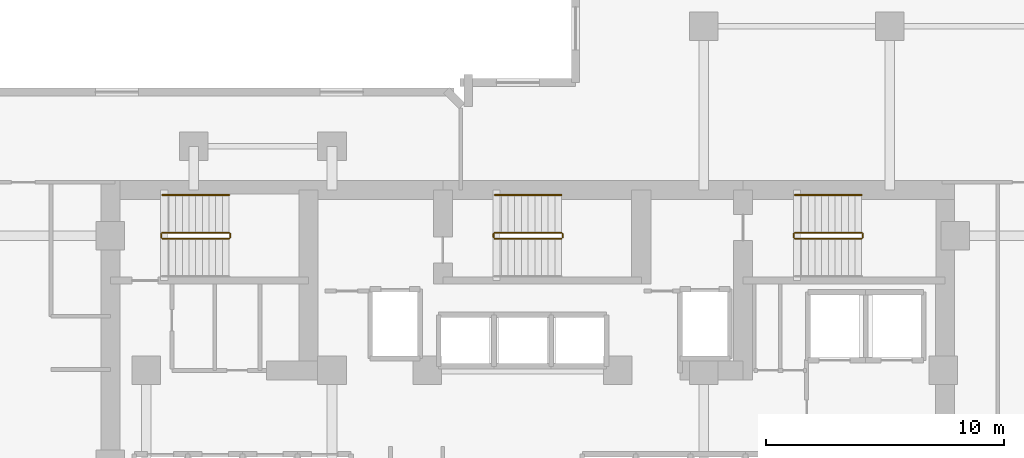
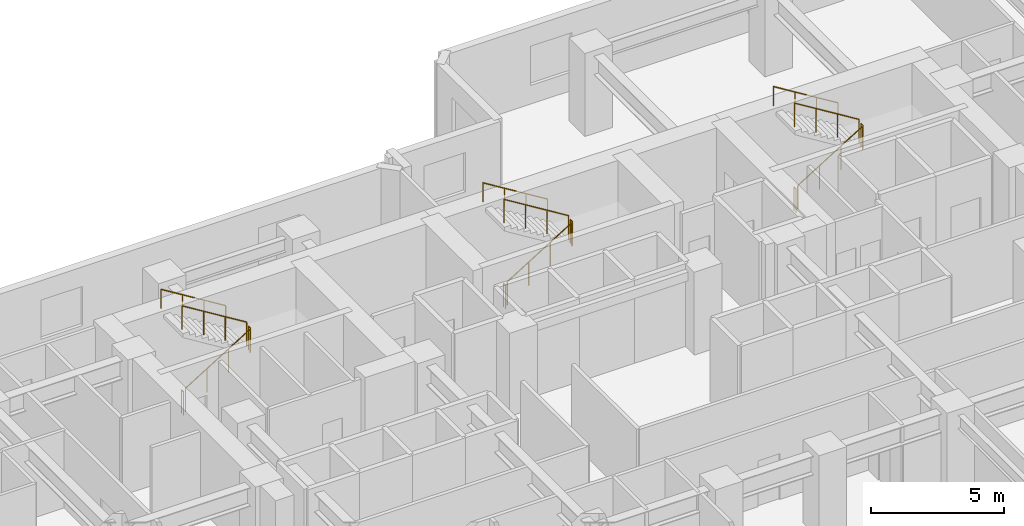
# One storey, part 11 of 11: 15 railings.
"""IFC4 building model written with IfcOpenShell, lengths in metres."""

from ifc_helpers import new_model, si_unit, direction, frame, origin, origin_2d, place, context, subcontext, project, spatial, circle, extrude, material, type_object, element, save


model = new_model("IFC4")

# Units and contexts
model_context = context("Model", 3, precision=1e-05, world=origin(), true_north=direction((0.0, 1.0)))
body_context = subcontext(model_context, "Body", "Model", "MODEL_VIEW")
ifc_project = project(units=[si_unit("LENGTHUNIT", "METRE"), si_unit("AREAUNIT", "SQUARE_METRE"), si_unit("VOLUMEUNIT", "CUBIC_METRE"), si_unit("PLANEANGLEUNIT", "RADIAN"), si_unit("MASSUNIT", "GRAM", prefix="KILO")], contexts=[model_context])

# Site, building, storey
site_placement = place(None, origin())
site = spatial("IfcSite", under=ifc_project, at=site_placement, CompositionType="ELEMENT")
building_placement = place(site_placement, origin())
building = spatial("IfcBuilding", under=site, at=building_placement, Name="Kestravale Grand Hotel", CompositionType="ELEMENT")
storey_placement = place(building_placement, frame((0.0, 0.0, 107.0)))
storey = spatial("IfcBuildingStorey", under=building, at=storey_placement, Name="L26", CompositionType="ELEMENT", Elevation=107.0)

# Railings
ifc_material_1 = material(Name="Painted tubular steel stair well guard", Category="steel")
railing_type_1 = type_object("IfcRailingType", Name="RL-ST-GRD1100", PredefinedType="GUARDRAIL", material=ifc_material_1)
railing_1_placement = place(storey_placement, frame((24.080078125, 38.280029296875, 0.172607421875)))
element("IfcRailing", 1, at=railing_1_placement, inside=storey, type_object=railing_type_1, Name="L26 ST-1 stair guard 1", PredefinedType="GUARDRAIL", context=body_context, shape_type="SweptSolid", body=[
    extrude(circle(Radius=0.02392578125, at=origin_2d()), frame((0.0, 0.0, 1.076171875), z_axis=(0.851069175582, 0.0, 0.525053576669), x_axis=(0.0, 1.0, 0.0)), (0.0, 0.0, 1.0), 3.289794921875),
    extrude(circle(Radius=0.02099609375, at=origin_2d()), origin(), (0.0, 0.0, 1.0), 1.052001953125),
    extrude(circle(Radius=0.02099609375, at=origin_2d()), frame((0.933349609375, 0.0, 0.57568359375)), (0.0, 0.0, 1.0), 1.052001953125),
    extrude(circle(Radius=0.02099609375, at=origin_2d()), frame((1.866455078125, 0.0, 1.151611328125)), (0.0, 0.0, 1.0), 1.052001953125),
    extrude(circle(Radius=0.02099609375, at=origin_2d()), frame((2.7998046875, 0.0, 1.727294921875)), (0.0, 0.0, 1.0), 1.052001953125),
])
railing_2_placement = place(storey_placement, frame((26.929931640625, 38.330078125, 1.89990234375)))
element("IfcRailing", 2, at=railing_2_placement, inside=storey, type_object=railing_type_1, Name="L26 ST-1 stair guard 2", PredefinedType="GUARDRAIL", context=body_context, shape_type="SweptSolid", body=[
    extrude(circle(Radius=0.02392578125, at=origin_2d()), frame((0.0, 0.0, 1.076171875), z_axis=(0.0, 1.0, 0.0), x_axis=(-1.0, 0.0, 0.0)), (0.0, 0.0, 1.0), 0.14990234375),
    extrude(circle(Radius=0.02099609375, at=origin_2d()), origin(), (0.0, 0.0, 1.0), 1.052001953125),
    extrude(circle(Radius=0.02099609375, at=origin_2d()), frame((0.0, 0.14990234375, 0.0)), (0.0, 0.0, 1.0), 1.052001953125),
])
railing_3_placement = place(storey_placement, frame((26.8798828125, 38.530029296875, 2.07275390625)))
element("IfcRailing", 3, at=railing_3_placement, inside=storey, type_object=railing_type_1, Name="L26 ST-1 stair guard 3", PredefinedType="GUARDRAIL", context=body_context, shape_type="SweptSolid", body=[
    extrude(circle(Radius=0.02392578125, at=origin_2d()), frame((0.0, 0.0, 1.076171875), z_axis=(-0.851069175582, 0.0, 0.525053576669), x_axis=(0.0, -1.0, 0.0)), (0.0, 0.0, 1.0), 3.289794921875),
    extrude(circle(Radius=0.02099609375, at=origin_2d()), origin(), (0.0, 0.0, 1.0), 1.052001953125),
    extrude(circle(Radius=0.02099609375, at=origin_2d()), frame((-0.933349609375, 0.0, 0.57568359375)), (0.0, 0.0, 1.0), 1.052001953125),
    extrude(circle(Radius=0.02099609375, at=origin_2d()), frame((-1.866455078125, 0.0, 1.151611328125)), (0.0, 0.0, 1.0), 1.052001953125),
    extrude(circle(Radius=0.02099609375, at=origin_2d()), frame((-2.7998046875, 0.0, 1.727294921875)), (0.0, 0.0, 1.0), 1.052001953125),
])
railing_4_placement = place(storey_placement, frame((24.030029296875, 38.330078125, 0.0)))
element("IfcRailing", 4, at=railing_4_placement, inside=storey, type_object=railing_type_1, Name="L26 ST-1 stair guard 4", PredefinedType="GUARDRAIL", context=body_context, shape_type="SweptSolid", body=[
    extrude(circle(Radius=0.02392578125, at=origin_2d()), frame((0.0, 0.0, 1.076171875), z_axis=(0.0, 1.0, 0.0), x_axis=(-1.0, 0.0, 0.0)), (0.0, 0.0, 1.0), 0.14990234375),
    extrude(circle(Radius=0.02099609375, at=origin_2d()), origin(), (0.0, 0.0, 1.0), 1.052001953125),
    extrude(circle(Radius=0.02099609375, at=origin_2d()), frame((0.0, 0.14990234375, 0.0)), (0.0, 0.0, 1.0), 1.052001953125),
])
railing_5_placement = place(storey_placement, frame((38.030029296875, 38.280029296875, 0.172607421875)))
element("IfcRailing", 5, at=railing_5_placement, inside=storey, type_object=railing_type_1, Name="L26 ST-2 stair guard 1", PredefinedType="GUARDRAIL", context=body_context, shape_type="SweptSolid", body=[
    extrude(circle(Radius=0.02392578125, at=origin_2d()), frame((0.0, 0.0, 1.076171875), z_axis=(0.851089632645, 0.0, 0.525020415988), x_axis=(0.0, 1.0, 0.0)), (0.0, 0.0, 1.0), 3.2900390625),
    extrude(circle(Radius=0.02099609375, at=origin_2d()), origin(), (0.0, 0.0, 1.0), 1.052001953125),
    extrude(circle(Radius=0.02099609375, at=origin_2d()), frame((0.933349609375, 0.0, 0.57568359375)), (0.0, 0.0, 1.0), 1.052001953125),
    extrude(circle(Radius=0.02099609375, at=origin_2d()), frame((1.86669921875, 0.0, 1.151611328125)), (0.0, 0.0, 1.0), 1.052001953125),
    extrude(circle(Radius=0.02099609375, at=origin_2d()), frame((2.800048828125, 0.0, 1.727294921875)), (0.0, 0.0, 1.0), 1.052001953125),
])
railing_6_placement = place(storey_placement, frame((40.8798828125, 38.330078125, 1.89990234375)))
element("IfcRailing", 6, at=railing_6_placement, inside=storey, type_object=railing_type_1, Name="L26 ST-2 stair guard 2", PredefinedType="GUARDRAIL", context=body_context, shape_type="SweptSolid", body=[
    extrude(circle(Radius=0.02392578125, at=origin_2d()), frame((0.0, 0.0, 1.076171875), z_axis=(0.0, 1.0, 0.0), x_axis=(-1.0, 0.0, 0.0)), (0.0, 0.0, 1.0), 0.14990234375),
    extrude(circle(Radius=0.02099609375, at=origin_2d()), origin(), (0.0, 0.0, 1.0), 1.052001953125),
    extrude(circle(Radius=0.02099609375, at=origin_2d()), frame((0.0, 0.14990234375, 0.0)), (0.0, 0.0, 1.0), 1.052001953125),
])
railing_7_placement = place(storey_placement, frame((40.830078125, 38.530029296875, 2.07275390625)))
element("IfcRailing", 7, at=railing_7_placement, inside=storey, type_object=railing_type_1, Name="L26 ST-2 stair guard 3", PredefinedType="GUARDRAIL", context=body_context, shape_type="SweptSolid", body=[
    extrude(circle(Radius=0.02392578125, at=origin_2d()), frame((0.0, 0.0, 1.076171875), z_axis=(-0.851089632645, 0.0, 0.525020415988), x_axis=(0.0, -1.0, 0.0)), (0.0, 0.0, 1.0), 3.2900390625),
    extrude(circle(Radius=0.02099609375, at=origin_2d()), origin(), (0.0, 0.0, 1.0), 1.052001953125),
    extrude(circle(Radius=0.02099609375, at=origin_2d()), frame((-0.933349609375, 0.0, 0.57568359375)), (0.0, 0.0, 1.0), 1.052001953125),
    extrude(circle(Radius=0.02099609375, at=origin_2d()), frame((-1.86669921875, 0.0, 1.151611328125)), (0.0, 0.0, 1.0), 1.052001953125),
    extrude(circle(Radius=0.02099609375, at=origin_2d()), frame((-2.800048828125, 0.0, 1.727294921875)), (0.0, 0.0, 1.0), 1.052001953125),
])
railing_8_placement = place(storey_placement, frame((37.97998046875, 38.330078125, 0.0)))
element("IfcRailing", 8, at=railing_8_placement, inside=storey, type_object=railing_type_1, Name="L26 ST-2 stair guard 4", PredefinedType="GUARDRAIL", context=body_context, shape_type="SweptSolid", body=[
    extrude(circle(Radius=0.02392578125, at=origin_2d()), frame((0.0, 0.0, 1.076171875), z_axis=(0.0, 1.0, 0.0), x_axis=(-1.0, 0.0, 0.0)), (0.0, 0.0, 1.0), 0.14990234375),
    extrude(circle(Radius=0.02099609375, at=origin_2d()), origin(), (0.0, 0.0, 1.0), 1.052001953125),
    extrude(circle(Radius=0.02099609375, at=origin_2d()), frame((0.0, 0.14990234375, 0.0)), (0.0, 0.0, 1.0), 1.052001953125),
])
railing_9_placement = place(storey_placement, frame((50.6298828125, 38.280029296875, 0.172607421875)))
element("IfcRailing", 9, at=railing_9_placement, inside=storey, type_object=railing_type_1, Name="L26 ST-3 stair guard 1", PredefinedType="GUARDRAIL", context=body_context, shape_type="SweptSolid", body=[
    extrude(circle(Radius=0.02392578125, at=origin_2d()), frame((0.0, 0.0, 1.076171875), z_axis=(0.851089632645, 0.0, 0.525020415988), x_axis=(0.0, 1.0, 0.0)), (0.0, 0.0, 1.0), 3.2900390625),
    extrude(circle(Radius=0.02099609375, at=origin_2d()), origin(), (0.0, 0.0, 1.0), 1.052001953125),
    extrude(circle(Radius=0.02099609375, at=origin_2d()), frame((0.933349609375, 0.0, 0.57568359375)), (0.0, 0.0, 1.0), 1.052001953125),
    extrude(circle(Radius=0.02099609375, at=origin_2d()), frame((1.86669921875, 0.0, 1.151611328125)), (0.0, 0.0, 1.0), 1.052001953125),
    extrude(circle(Radius=0.02099609375, at=origin_2d()), frame((2.800048828125, 0.0, 1.727294921875)), (0.0, 0.0, 1.0), 1.052001953125),
])
railing_10_placement = place(storey_placement, frame((53.47998046875, 38.330078125, 1.89990234375)))
element("IfcRailing", 10, at=railing_10_placement, inside=storey, type_object=railing_type_1, Name="L26 ST-3 stair guard 2", PredefinedType="GUARDRAIL", context=body_context, shape_type="SweptSolid", body=[
    extrude(circle(Radius=0.02392578125, at=origin_2d()), frame((0.0, 0.0, 1.076171875), z_axis=(0.0, 1.0, 0.0), x_axis=(-1.0, 0.0, 0.0)), (0.0, 0.0, 1.0), 0.14990234375),
    extrude(circle(Radius=0.02099609375, at=origin_2d()), origin(), (0.0, 0.0, 1.0), 1.052001953125),
    extrude(circle(Radius=0.02099609375, at=origin_2d()), frame((0.0, 0.14990234375, 0.0)), (0.0, 0.0, 1.0), 1.052001953125),
])
railing_11_placement = place(storey_placement, frame((53.429931640625, 38.530029296875, 2.07275390625)))
element("IfcRailing", 11, at=railing_11_placement, inside=storey, type_object=railing_type_1, Name="L26 ST-3 stair guard 3", PredefinedType="GUARDRAIL", context=body_context, shape_type="SweptSolid", body=[
    extrude(circle(Radius=0.02392578125, at=origin_2d()), frame((0.0, 0.0, 1.076171875), z_axis=(-0.851089632645, 0.0, 0.525020415988), x_axis=(0.0, -1.0, 0.0)), (0.0, 0.0, 1.0), 3.2900390625),
    extrude(circle(Radius=0.02099609375, at=origin_2d()), origin(), (0.0, 0.0, 1.0), 1.052001953125),
    extrude(circle(Radius=0.02099609375, at=origin_2d()), frame((-0.933349609375, 0.0, 0.57568359375)), (0.0, 0.0, 1.0), 1.052001953125),
    extrude(circle(Radius=0.02099609375, at=origin_2d()), frame((-1.86669921875, 0.0, 1.151611328125)), (0.0, 0.0, 1.0), 1.052001953125),
    extrude(circle(Radius=0.02099609375, at=origin_2d()), frame((-2.800048828125, 0.0, 1.727294921875)), (0.0, 0.0, 1.0), 1.052001953125),
])
railing_12_placement = place(storey_placement, frame((50.580078125, 38.330078125, 0.0)))
element("IfcRailing", 12, at=railing_12_placement, inside=storey, type_object=railing_type_1, Name="L26 ST-3 stair guard 4", PredefinedType="GUARDRAIL", context=body_context, shape_type="SweptSolid", body=[
    extrude(circle(Radius=0.02392578125, at=origin_2d()), frame((0.0, 0.0, 1.076171875), z_axis=(0.0, 1.0, 0.0), x_axis=(-1.0, 0.0, 0.0)), (0.0, 0.0, 1.0), 0.14990234375),
    extrude(circle(Radius=0.02099609375, at=origin_2d()), origin(), (0.0, 0.0, 1.0), 1.052001953125),
    extrude(circle(Radius=0.02099609375, at=origin_2d()), frame((0.0, 0.14990234375, 0.0)), (0.0, 0.0, 1.0), 1.052001953125),
])
ifc_material_2 = material(Name="Brushed stainless steel wall handrail", Category="steel")
railing_type_2 = type_object("IfcRailingType", Name="RL-ST-HND900", PredefinedType="HANDRAIL", material=ifc_material_2)
railing_13_placement = place(storey_placement, frame((26.8798828125, 40.110107421875, 2.07275390625)))
element("IfcRailing", 13, at=railing_13_placement, inside=storey, type_object=railing_type_2, Name="L26 ST-1 stair handrail 2", PredefinedType="HANDRAIL", context=body_context, shape_type="SweptSolid", body=[
    extrude(circle(Radius=0.02392578125, at=origin_2d()), frame((0.0, 0.0, 0.8759765625), z_axis=(-0.851069175582, 0.0, 0.525053576669), x_axis=(0.0, -1.0, 0.0)), (0.0, 0.0, 1.0), 3.289794921875),
    extrude(circle(Radius=0.02099609375, at=origin_2d()), origin(), (0.0, 0.0, 1.0), 0.851806640625),
    extrude(circle(Radius=0.02099609375, at=origin_2d()), frame((-0.933349609375, 0.0, 0.57568359375)), (0.0, 0.0, 1.0), 0.851806640625),
    extrude(circle(Radius=0.02099609375, at=origin_2d()), frame((-1.866455078125, 0.0, 1.151611328125)), (0.0, 0.0, 1.0), 0.851806640625),
    extrude(circle(Radius=0.02099609375, at=origin_2d()), frame((-2.7998046875, 0.0, 1.727294921875)), (0.0, 0.0, 1.0), 0.851806640625),
])
for number, where, name in (
    (14, (40.830078125, 40.110107421875, 2.07275390625), "L26 ST-2 stair handrail 2"),
    (15, (53.429931640625, 40.110107421875, 2.07275390625), "L26 ST-3 stair handrail 2"),
):
    element("IfcRailing", number, at=place(storey_placement, frame(where)), inside=storey, type_object=railing_type_2, Name=name, PredefinedType="HANDRAIL", context=body_context, shape_type="SweptSolid", body=[
        extrude(circle(Radius=0.02392578125, at=origin_2d()), frame((0.0, 0.0, 0.8759765625), z_axis=(-0.851089632645, 0.0, 0.525020415988), x_axis=(0.0, -1.0, 0.0)), (0.0, 0.0, 1.0), 3.2900390625),
        extrude(circle(Radius=0.02099609375, at=origin_2d()), origin(), (0.0, 0.0, 1.0), 0.851806640625),
        extrude(circle(Radius=0.02099609375, at=origin_2d()), frame((-0.933349609375, 0.0, 0.57568359375)), (0.0, 0.0, 1.0), 0.851806640625),
        extrude(circle(Radius=0.02099609375, at=origin_2d()), frame((-1.86669921875, 0.0, 1.151611328125)), (0.0, 0.0, 1.0), 0.851806640625),
        extrude(circle(Radius=0.02099609375, at=origin_2d()), frame((-2.800048828125, 0.0, 1.727294921875)), (0.0, 0.0, 1.0), 0.851806640625),
    ])

save(model, "model.ifc")
